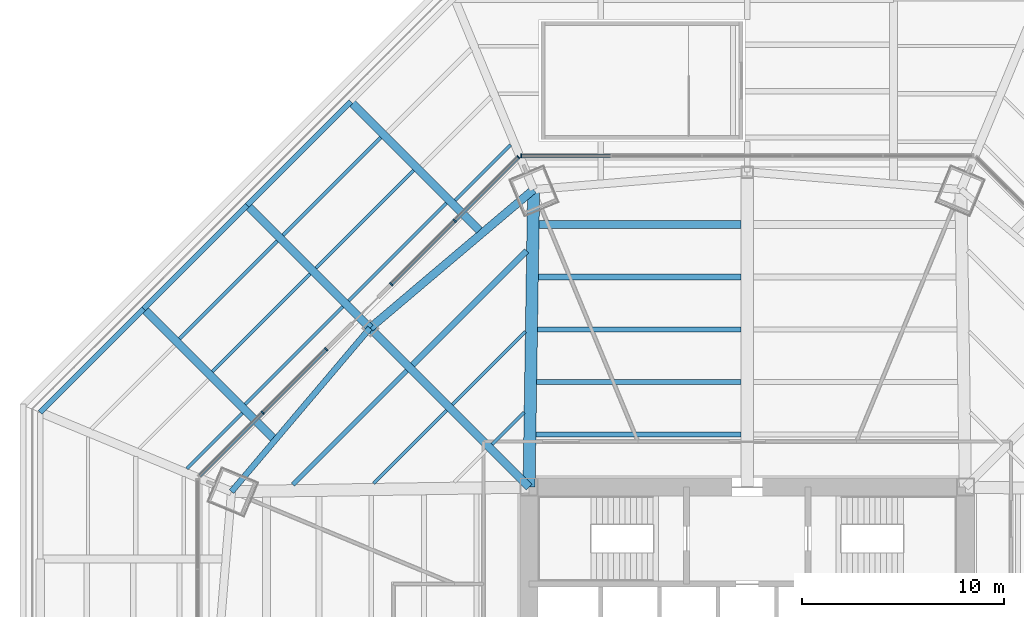
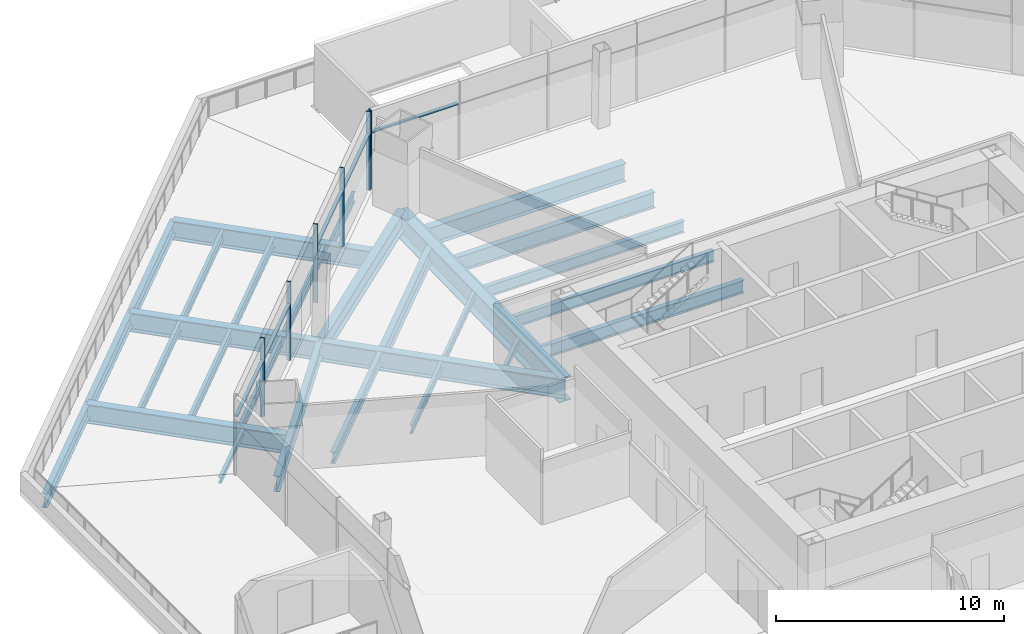
# One storey, part 8 of 25: 28 beams, 11 members, 3 elements without a shape of their own.
"""IFC4 building model written with IfcOpenShell, lengths in metres."""

from ifc_helpers import new_model, si_unit, direction, frame, origin, origin_2d, place, context, subcontext, project, spatial, rectangle, i_section, extrude, source, transform, mapped, material, material_profile, profile_set, type_object, type_shapes, element, aggregate, save


model = new_model("IFC4")

# Units and contexts
model_context = context("Model", 3, precision=1e-05, world=origin(), true_north=direction((0.0, 1.0)))
body_context = subcontext(model_context, "Body", "Model", "MODEL_VIEW")
ifc_project = project(units=[si_unit("LENGTHUNIT", "METRE"), si_unit("AREAUNIT", "SQUARE_METRE"), si_unit("VOLUMEUNIT", "CUBIC_METRE"), si_unit("PLANEANGLEUNIT", "RADIAN"), si_unit("MASSUNIT", "GRAM", prefix="KILO")], contexts=[model_context])

# Site, building, storey
site_placement = place(None, origin())
site = spatial("IfcSite", under=ifc_project, at=site_placement, CompositionType="ELEMENT")
building_placement = place(site_placement, origin())
building = spatial("IfcBuilding", under=site, at=building_placement, Name="Mashrafa Tower", CompositionType="ELEMENT")
storey_placement = place(building_placement, frame((0.0, 0.0, 28.800048828125)))
storey = spatial("IfcBuildingStorey", under=building, at=storey_placement, Name="L05", CompositionType="ELEMENT", Elevation=28.800048828125)

# Beams
ifc_material_1 = material(Name="Steel ASTM A572 Gr 50", Category="steel")
ifc_material_profile_1 = material_profile(ifc_material_1, i_section(OverallWidth=0.60009765625, OverallDepth=1.300048828125, WebThickness=0.028076171875, FlangeThickness=0.06494140625, at=origin_2d()), Name="H1300X600X28X65")
ifc_profile_set_1 = profile_set([ifc_material_profile_1], Name="Steel ASTM A572 Gr 50")
beam_type_1 = type_object("IfcBeamType", Name="Beam H1300X600X28X65", PredefinedType="BEAM", material=ifc_profile_set_1)
beam_1_placement = place(storey_placement, frame((-10.800048828125, 10.800048828125, -0.949951171875), z_axis=(0.015279561885, 0.99988326068, 0.0), x_axis=(-0.99988326068, 0.015279561885, 0.0)))
element("IfcBeam", 1, at=beam_1_placement, inside=storey, type_object=beam_type_1, Name="Radial girder L05 239", PredefinedType="BEAM", context=body_context, shape_type="SweptSolid", body=[
    extrude(i_section(OverallWidth=0.60009765625, OverallDepth=1.300048828125, WebThickness=0.028076171875, FlangeThickness=0.06494140625, at=origin_2d()), origin(), (0.0, 0.0, 1.0), 14.73193359375),
])
ifc_material_2 = material(Name="Steel ASTM A992", Category="steel")
ifc_material_profile_2 = material_profile(ifc_material_2, i_section(OverallWidth=0.164794921875, OverallDepth=0.309814453125, WebThickness=0.005859375, FlangeThickness=0.009765625, FilletRadius=0.007568359375, at=origin_2d()), Name="W12X26")
ifc_profile_set_2 = profile_set([ifc_material_profile_2], Name="Steel ASTM A992")
beam_type_2 = type_object("IfcBeamType", Name="Beam W12X26", PredefinedType="BEAM", material=ifc_profile_set_2)
beam_2_placement = place(storey_placement, frame((-27.7353515625, 11.718017578125, -0.455078125), z_axis=(0.707138270433, 0.707075290537, 0.0), x_axis=(-0.707075290537, 0.707138270433, 0.0)))
element("IfcBeam", 2, at=beam_2_placement, inside=storey, type_object=beam_type_2, Name="Floor beam L05 013", PredefinedType="BEAM", context=body_context, shape_type="SweptSolid", body=[
    extrude(i_section(OverallWidth=0.164794921875, OverallDepth=0.309814453125, WebThickness=0.005859375, FlangeThickness=0.009765625, FilletRadius=0.007568359375, at=origin_2d()), origin(), (0.0, 0.0, 1.0), 3.87646484375),
])
beam_3_placement = place(storey_placement, frame((-12.623779296875, 12.9130859375, -0.455078125), z_axis=(0.707106781187, 0.707106781187, 0.0), x_axis=(-0.707106781187, 0.707106781187, 0.0)))
element("IfcBeam", 3, at=beam_3_placement, inside=storey, type_object=beam_type_2, Name="Floor beam L05 050", PredefinedType="BEAM", context=body_context, shape_type="SweptSolid", body=[
    extrude(i_section(OverallWidth=0.164794921875, OverallDepth=0.309814453125, WebThickness=0.005859375, FlangeThickness=0.009765625, FilletRadius=0.007568359375, at=origin_2d()), origin(), (0.0, 0.0, 1.0), 2.234619140625),
])
ifc_material_3 = material(Name="Steel ASTM A992", Category="steel")
ifc_material_profile_3 = material_profile(ifc_material_3, i_section(OverallWidth=0.15234375, OverallDepth=0.449462890625, WebThickness=0.007568359375, FlangeThickness=0.0107421875, FilletRadius=0.01025390625, at=origin_2d()), Name="W18X35")
ifc_profile_set_3 = profile_set([ifc_material_profile_3], Name="Steel ASTM A992")
beam_type_3 = type_object("IfcBeamType", Name="Beam W18X35", PredefinedType="BEAM", material=ifc_profile_set_3)
for number, where, z_axis, x_axis, name in (
    (4, (-18.490966796875, 10.982666015625, -0.52490234375), (0.707106781187, 0.707106781187, 0.0), (-0.707106781187, 0.707106781187, 0.0), "Floor beam L05 029"),
    (5, (-14.59228515625, 14.88134765625, -0.52490234375), (0.707106781187, 0.707106781187, 0.0), (-0.707106781187, 0.707106781187, 0.0), "Floor beam L05 043"),
):
    element("IfcBeam", number, at=place(storey_placement, frame(where, z_axis=z_axis, x_axis=x_axis)), inside=storey, type_object=beam_type_3, Name=name, PredefinedType="BEAM", context=body_context, shape_type="SweptSolid", body=[
        extrude(i_section(OverallWidth=0.15234375, OverallDepth=0.449462890625, WebThickness=0.007568359375, FlangeThickness=0.0107421875, FilletRadius=0.01025390625, at=origin_2d()), origin(), (0.0, 0.0, 1.0), 5.104736328125),
    ])
ifc_material_4 = material(Name="Steel ASTM A992", Category="steel")
ifc_material_profile_4 = material_profile(ifc_material_4, i_section(OverallWidth=0.165771484375, OverallDepth=0.5283203125, WebThickness=0.009765625, FlangeThickness=0.013671875, FilletRadius=0.012939453125, at=origin_2d()), Name="W21X50")
ifc_profile_set_4 = profile_set([ifc_material_profile_4], Name="Steel ASTM A992")
beam_type_4 = type_object("IfcBeamType", Name="Beam W21X50", PredefinedType="BEAM", material=ifc_profile_set_4)
for number, where, z_axis, x_axis, name in (
    (6, (-28.107421875, 18.139892578125, -0.564208984375), (0.707124607932, 0.707088953991, 0.0), (-0.707088953991, 0.707124607932, 0.0), "Floor beam L05 009"),
    (7, (-26.482177734375, 16.5146484375, -0.564208984375), (0.707124607932, 0.707088953991, 0.0), (-0.707088953991, 0.707124607932, 0.0), "Floor beam L05 014"),
    (8, (-24.85693359375, 14.889404296875, -0.564208984375), (0.707106781187, 0.707106781187, 0.0), (-0.707106781187, 0.707106781187, 0.0), "Floor beam L05 016"),
    (9, (-22.981689453125, 23.265380859375, -0.564208984375), (0.707088953991, 0.707124607932, 0.0), (-0.707124607932, 0.707088953991, 0.0), "Floor beam L05 021"),
    (10, (-21.3564453125, 21.64013671875, -0.564208984375), (0.707088953991, 0.707124607932, 0.0), (-0.707124607932, 0.707088953991, 0.0), "Floor beam L05 024"),
    (11, (-19.731201171875, 20.01513671875, -0.564208984375), (0.707106781187, 0.707106781187, 0.0), (-0.707106781187, 0.707106781187, 0.0), "Floor beam L05 028"),
):
    element("IfcBeam", number, at=place(storey_placement, frame(where, z_axis=z_axis, x_axis=x_axis)), inside=storey, type_object=beam_type_4, Name=name, PredefinedType="BEAM", context=body_context, shape_type="SweptSolid", body=[
        extrude(i_section(OverallWidth=0.165771484375, OverallDepth=0.5283203125, WebThickness=0.009765625, FlangeThickness=0.013671875, FilletRadius=0.012939453125, at=origin_2d()), origin(), (0.0, 0.0, 1.0), 6.847412109375),
    ])
beam_4_placement = place(storey_placement, frame((-14.458984375, 24.994140625, -0.564208984375), z_axis=(0.707075391189, 0.707138169791, 0.0), x_axis=(-0.707138169791, 0.707075391189, 0.0)))
element("IfcBeam", 12, at=beam_4_placement, inside=storey, type_object=beam_type_4, Name="Floor beam L05 044", PredefinedType="BEAM", context=body_context, shape_type="SweptSolid", body=[
    extrude(i_section(OverallWidth=0.165771484375, OverallDepth=0.5283203125, WebThickness=0.009765625, FlangeThickness=0.013671875, FilletRadius=0.012939453125, at=origin_2d()), origin(), (0.0, 0.0, 1.0), 3.888916015625),
])
ifc_material_5 = material(Name="Steel ASTM A992", Category="steel")
ifc_material_profile_5 = material_profile(ifc_material_5, i_section(OverallWidth=0.227783203125, OverallDepth=0.60205078125, WebThickness=0.010498046875, FlangeThickness=0.014892578125, FilletRadius=0.012939453125, at=origin_2d()), Name="W24X68")
ifc_profile_set_5 = profile_set([ifc_material_profile_5], Name="Steel ASTM A992")
beam_type_5 = type_object("IfcBeamType", Name="Beam W24X68", PredefinedType="BEAM", material=ifc_profile_set_5)
beam_5_placement = place(storey_placement, frame((-10.42041015625, 16.002685546875, -0.60107421875), z_axis=(1.0, 0.0, 0.0), x_axis=(0.0, 1.0, 0.0)))
element("IfcBeam", 13, at=beam_5_placement, inside=storey, type_object=beam_type_5, Name="Floor beam L05 056", PredefinedType="BEAM", context=body_context, shape_type="SweptSolid", body=[
    extrude(i_section(OverallWidth=0.227783203125, OverallDepth=0.60205078125, WebThickness=0.010498046875, FlangeThickness=0.014892578125, FilletRadius=0.012939453125, at=origin_2d()), origin(), (0.0, 0.0, 1.0), 10.120361328125),
])
beam_6_placement = place(storey_placement, frame((-10.380859375, 18.604248046875, -0.60107421875), z_axis=(1.0, 0.0, 0.0), x_axis=(0.0, 1.0, 0.0)))
element("IfcBeam", 14, at=beam_6_placement, inside=storey, type_object=beam_type_5, Name="Floor beam L05 057", PredefinedType="BEAM", context=body_context, shape_type="SweptSolid", body=[
    extrude(i_section(OverallWidth=0.227783203125, OverallDepth=0.60205078125, WebThickness=0.010498046875, FlangeThickness=0.014892578125, FilletRadius=0.012939453125, at=origin_2d()), origin(), (0.0, 0.0, 1.0), 10.080810546875),
])
ifc_material_6 = material(Name="Steel ASTM A992", Category="steel")
ifc_material_profile_6 = material_profile(ifc_material_6, i_section(OverallWidth=0.22900390625, OverallDepth=0.612060546875, WebThickness=0.011962890625, FlangeThickness=0.01953125, FilletRadius=0.0126953125, at=origin_2d()), Name="W24X84")
ifc_profile_set_6 = profile_set([ifc_material_profile_6], Name="Steel ASTM A992")
beam_type_6 = type_object("IfcBeamType", Name="Beam W24X84", PredefinedType="BEAM", material=ifc_profile_set_6)
beam_7_placement = place(storey_placement, frame((-22.489013671875, 10.92138671875, -0.606201171875), z_axis=(0.707106781187, 0.707106781187, 0.0), x_axis=(-0.707106781187, 0.707106781187, 0.0)))
element("IfcBeam", 15, at=beam_7_placement, inside=storey, type_object=beam_type_6, Name="Floor beam L05 022", PredefinedType="BEAM", context=body_context, shape_type="SweptSolid", body=[
    extrude(i_section(OverallWidth=0.22900390625, OverallDepth=0.612060546875, WebThickness=0.011962890625, FlangeThickness=0.01953125, FilletRadius=0.0126953125, at=origin_2d()), origin(), (0.0, 0.0, 1.0), 7.97509765625),
])
ifc_material_7 = material(Name="Steel ASTM A992", Category="steel")
ifc_material_profile_7 = material_profile(ifc_material_7, i_section(OverallWidth=0.25390625, OverallDepth=0.67822265625, WebThickness=0.01171875, FlangeThickness=0.016357421875, FilletRadius=0.01513671875, at=origin_2d()), Name="W27X84")
ifc_profile_set_7 = profile_set([ifc_material_profile_7], Name="Steel ASTM A992")
beam_type_7 = type_object("IfcBeamType", Name="Beam W27X84", PredefinedType="BEAM", material=ifc_profile_set_7)
beam_8_placement = place(storey_placement, frame((-10.460205078125, 13.4013671875, -0.63916015625), z_axis=(1.0, 0.0, 0.0), x_axis=(0.0, 1.0, 0.0)))
element("IfcBeam", 16, at=beam_8_placement, inside=storey, type_object=beam_type_7, Name="Floor beam L05 054", PredefinedType="BEAM", context=body_context, shape_type="SweptSolid", body=[
    extrude(i_section(OverallWidth=0.25390625, OverallDepth=0.67822265625, WebThickness=0.01171875, FlangeThickness=0.016357421875, FilletRadius=0.01513671875, at=origin_2d()), origin(), (0.0, 0.0, 1.0), 10.16015625),
])
ifc_material_8 = material(Name="Steel ASTM A992", Category="steel")
ifc_material_profile_8 = material_profile(ifc_material_8, i_section(OverallWidth=0.2666015625, OverallDepth=0.761962890625, WebThickness=0.014404296875, FlangeThickness=0.021484375, FilletRadius=0.0166015625, at=origin_2d()), Name="W30X116")
ifc_profile_set_8 = profile_set([ifc_material_profile_8], Name="Steel ASTM A992")
beam_type_8 = type_object("IfcBeamType", Name="Beam W30X116", PredefinedType="BEAM", material=ifc_profile_set_8)
beam_9_placement = place(storey_placement, frame((-29.87451171875, 19.623046875, -0.68115234375), z_axis=(-0.707106781187, -0.707106781187, 0.0), x_axis=(0.707106781187, -0.707106781187, 0.0)))
element("IfcBeam", 17, at=beam_9_placement, inside=storey, type_object=beam_type_8, Name="Podium edge beam L05 151", PredefinedType="BEAM", context=body_context, shape_type="SweptSolid", body=[
    extrude(i_section(OverallWidth=0.2666015625, OverallDepth=0.761962890625, WebThickness=0.014404296875, FlangeThickness=0.021484375, FilletRadius=0.0166015625, at=origin_2d()), origin(), (0.0, 0.0, 1.0), 7.24853515625),
])
for number, where, z_axis, x_axis, name in (
    (18, (-24.748779296875, 24.748779296875, -0.68115234375), (-0.707106781187, -0.707106781187, 0.0), (0.707106781187, -0.707106781187, 0.0), "Podium edge beam L05 153"),
    (19, (-19.623046875, 29.87451171875, -0.68115234375), (-0.707106781187, -0.707106781187, 0.0), (0.707106781187, -0.707106781187, 0.0), "Podium edge beam L05 155"),
):
    element("IfcBeam", number, at=place(storey_placement, frame(where, z_axis=z_axis, x_axis=x_axis)), inside=storey, type_object=beam_type_8, Name=name, PredefinedType="BEAM", context=body_context, shape_type="SweptSolid", body=[
        extrude(i_section(OverallWidth=0.2666015625, OverallDepth=0.761962890625, WebThickness=0.014404296875, FlangeThickness=0.021484375, FilletRadius=0.0166015625, at=origin_2d()), origin(), (0.0, 0.0, 1.0), 7.248779296875),
    ])
ifc_material_9 = material(Name="Steel ASTM A992", Category="steel")
ifc_material_profile_9 = material_profile(ifc_material_9, i_section(OverallWidth=0.2919921875, OverallDepth=0.8408203125, WebThickness=0.0146484375, FlangeThickness=0.021728515625, FilletRadius=0.017333984375, at=origin_2d()), Name="W33X130")
ifc_profile_set_9 = profile_set([ifc_material_profile_9], Name="Steel ASTM A992")
beam_type_9 = type_object("IfcBeamType", Name="Beam W33X130", PredefinedType="BEAM", material=ifc_profile_set_9)
beam_10_placement = place(storey_placement, frame((-18.673583984375, 18.673583984375, -0.720458984375), z_axis=(-0.646161895405, -0.763200370104, 0.0), x_axis=(0.763200370104, -0.646161895405, 0.0)))
element("IfcBeam", 20, at=beam_10_placement, inside=storey, type_object=beam_type_9, Name="Podium ring girder L05 221", PredefinedType="BEAM", context=body_context, shape_type="SweptSolid", body=[
    extrude(i_section(OverallWidth=0.2919921875, OverallDepth=0.8408203125, WebThickness=0.0146484375, FlangeThickness=0.021728515625, FilletRadius=0.017333984375, at=origin_2d()), origin(), (0.0, 0.0, 1.0), 10.611328125),
])
ifc_material_10 = material(Name="Steel ASTM A992", Category="steel")
ifc_material_profile_10 = material_profile(ifc_material_10, i_section(OverallWidth=0.2919921875, OverallDepth=0.845703125, WebThickness=0.015380859375, FlangeThickness=0.0244140625, FilletRadius=0.017333984375, at=origin_2d()), Name="W33X141")
ifc_profile_set_10 = profile_set([ifc_material_profile_10], Name="Steel ASTM A992")
beam_type_10 = type_object("IfcBeamType", Name="Beam W33X141", PredefinedType="BEAM", material=ifc_profile_set_10)
beam_11_placement = place(storey_placement, frame((-10.341064453125, 21.205810546875, -0.722900390625), z_axis=(1.0, 0.0, 0.0), x_axis=(0.0, 1.0, 0.0)))
element("IfcBeam", 21, at=beam_11_placement, inside=storey, type_object=beam_type_10, Name="Floor beam L05 059", PredefinedType="BEAM", context=body_context, shape_type="SweptSolid", body=[
    extrude(i_section(OverallWidth=0.2919921875, OverallDepth=0.845703125, WebThickness=0.015380859375, FlangeThickness=0.0244140625, FilletRadius=0.017333984375, at=origin_2d()), origin(), (0.0, 0.0, 1.0), 10.041015625),
])
ifc_material_11 = material(Name="Steel ASTM A992", Category="steel")
ifc_material_profile_11 = material_profile(ifc_material_11, i_section(OverallWidth=0.2919921875, OverallDepth=0.8583984375, WebThickness=0.01708984375, FlangeThickness=0.031005859375, FilletRadius=0.017822265625, at=origin_2d()), Name="W33X169")
ifc_profile_set_11 = profile_set([ifc_material_profile_11], Name="Steel ASTM A992")
beam_type_11 = type_object("IfcBeamType", Name="Beam W33X169", PredefinedType="BEAM", material=ifc_profile_set_11)
beam_12_placement = place(storey_placement, frame((-16.560546875, 16.849853515625, -0.729248046875), z_axis=(0.707106781187, 0.707106781187, 0.0), x_axis=(-0.707106781187, 0.707106781187, 0.0)))
element("IfcBeam", 22, at=beam_12_placement, inside=storey, type_object=beam_type_11, Name="Floor beam L05 035", PredefinedType="BEAM", context=body_context, shape_type="SweptSolid", body=[
    extrude(i_section(OverallWidth=0.2919921875, OverallDepth=0.8583984375, WebThickness=0.01708984375, FlangeThickness=0.031005859375, FilletRadius=0.017822265625, at=origin_2d()), origin(), (0.0, 0.0, 1.0), 7.97509765625),
])
ifc_material_12 = material(Name="Steel ASTM A992", Category="steel")
ifc_material_profile_12 = material_profile(ifc_material_12, i_section(OverallWidth=0.4013671875, OverallDepth=0.98291015625, WebThickness=0.0166015625, FlangeThickness=0.027099609375, FilletRadius=0.0126953125, at=origin_2d()), Name="W40X199")
ifc_profile_set_12 = profile_set([ifc_material_profile_12], Name="Steel ASTM A992")
beam_type_12 = type_object("IfcBeamType", Name="Beam W40X199", PredefinedType="BEAM", material=ifc_profile_set_12)
beam_13_placement = place(storey_placement, frame((-10.30126953125, 23.80712890625, -0.79150390625), z_axis=(1.0, 0.0, 0.0), x_axis=(0.0, 1.0, 0.0)))
element("IfcBeam", 23, at=beam_13_placement, inside=storey, type_object=beam_type_12, Name="Floor beam L05 061", PredefinedType="BEAM", context=body_context, shape_type="SweptSolid", body=[
    extrude(i_section(OverallWidth=0.4013671875, OverallDepth=0.98291015625, WebThickness=0.0166015625, FlangeThickness=0.027099609375, FilletRadius=0.0126953125, at=origin_2d()), origin(), (0.0, 0.0, 1.0), 10.001220703125),
])
ifc_material_13 = material(Name="Steel ASTM A992", Category="steel")
ifc_material_profile_13 = material_profile(ifc_material_13, i_section(OverallWidth=0.4013671875, OverallDepth=1.010986328125, WebThickness=0.023681640625, FlangeThickness=0.0419921875, FilletRadius=0.02001953125, at=origin_2d()), Name="W40X297")
ifc_profile_set_13 = profile_set([ifc_material_profile_13], Name="Steel ASTM A992")
beam_type_13 = type_object("IfcBeamType", Name="Beam W40X297", PredefinedType="BEAM", material=ifc_profile_set_13)
beam_14_placement = place(storey_placement, frame((-23.477294921875, 13.225830078125, -0.805419921875), z_axis=(-0.707106781187, 0.707106781187, 0.0), x_axis=(-0.707106781187, -0.707106781187, 0.0)))
element("IfcBeam", 24, at=beam_14_placement, inside=storey, type_object=beam_type_13, Name="Podium radial beam L05 185", PredefinedType="BEAM", context=body_context, shape_type="SweptSolid", body=[
    extrude(i_section(OverallWidth=0.4013671875, OverallDepth=1.010986328125, WebThickness=0.023681640625, FlangeThickness=0.0419921875, FilletRadius=0.02001953125, at=origin_2d()), origin(), (0.0, 0.0, 1.0), 9.047119140625),
])
beam_15_placement = place(storey_placement, frame((-18.673583984375, 18.673583984375, -0.805419921875), z_axis=(-0.707106781187, 0.707106781187, 0.0), x_axis=(-0.707106781187, -0.707106781187, 0.0)))
element("IfcBeam", 25, at=beam_15_placement, inside=storey, type_object=beam_type_13, Name="Podium radial beam L05 187", PredefinedType="BEAM", context=body_context, shape_type="SweptSolid", body=[
    extrude(i_section(OverallWidth=0.4013671875, OverallDepth=1.010986328125, WebThickness=0.023681640625, FlangeThickness=0.0419921875, FilletRadius=0.02001953125, at=origin_2d()), origin(), (0.0, 0.0, 1.0), 8.591552734375),
])
beam_16_placement = place(storey_placement, frame((-13.2646484375, 23.51611328125, -0.805419921875), z_axis=(-0.707106781187, 0.707106781187, 0.0), x_axis=(-0.707106781187, -0.707106781187, 0.0)))
element("IfcBeam", 26, at=beam_16_placement, inside=storey, type_object=beam_type_13, Name="Podium radial beam L05 189", PredefinedType="BEAM", context=body_context, shape_type="SweptSolid", body=[
    extrude(i_section(OverallWidth=0.4013671875, OverallDepth=1.010986328125, WebThickness=0.023681640625, FlangeThickness=0.0419921875, FilletRadius=0.02001953125, at=origin_2d()), origin(), (0.0, 0.0, 1.0), 8.9921875),
])
beam_17_placement = place(storey_placement, frame((-10.574951171875, 25.5302734375, -0.805419921875), z_axis=(-0.763200370104, -0.646161895405, 0.0), x_axis=(0.646161895405, -0.763200370104, 0.0)))
element("IfcBeam", 27, at=beam_17_placement, inside=storey, type_object=beam_type_13, Name="Podium ring girder L05 223", PredefinedType="BEAM", context=body_context, shape_type="SweptSolid", body=[
    extrude(i_section(OverallWidth=0.4013671875, OverallDepth=1.010986328125, WebThickness=0.023681640625, FlangeThickness=0.0419921875, FilletRadius=0.02001953125, at=origin_2d()), origin(), (0.0, 0.0, 1.0), 10.611328125),
])
ifc_material_14 = material(Name="Steel ASTM A992", Category="steel")
ifc_material_profile_14 = material_profile(ifc_material_14, i_section(OverallWidth=0.408935546875, OverallDepth=1.04150390625, WebThickness=0.031005859375, FlangeThickness=0.055908203125, FilletRadius=0.020263671875, at=origin_2d()), Name="W40X397")
ifc_profile_set_14 = profile_set([ifc_material_profile_14], Name="Steel ASTM A992")
beam_type_14 = type_object("IfcBeamType", Name="Beam W40X397", PredefinedType="BEAM", material=ifc_profile_set_14)
beam_18_placement = place(storey_placement, frame((-10.800048828125, 10.800048828125, -0.82080078125), z_axis=(-0.707106781187, 0.707106781187, 0.0), x_axis=(-0.707106781187, -0.707106781187, 0.0)))
element("IfcBeam", 28, at=beam_18_placement, inside=storey, type_object=beam_type_14, Name="Radial girder L05 238", PredefinedType="BEAM", context=body_context, shape_type="SweptSolid", body=[
    extrude(i_section(OverallWidth=0.408935546875, OverallDepth=1.04150390625, WebThickness=0.031005859375, FlangeThickness=0.055908203125, FilletRadius=0.020263671875, at=origin_2d()), origin(), (0.0, 0.0, 1.0), 11.134765625),
])

# Curtain wall, member
ifc_material_15 = material(Name="Unitised aluminium curtain wall", Category="aluminium")
curtain_wall_type = type_object("IfcCurtainWallType", Name="Office curtain wall, zone 1 CW-A 200 deep", PredefinedType="NOTDEFINED", material=ifc_material_15)
curtain_wall_1_placement = place(storey_placement, origin())
curtain_wall_1 = element("IfcCurtainWall", 29, at=curtain_wall_1_placement, inside=storey, type_object=curtain_wall_type, Name="Office curtain wall, zone 1 L05 north", PredefinedType="NOTDEFINED")
ifc_material_16 = material(Name="Extruded aluminium mullion", Category="aluminium")
ifc_material_profile_15 = material_profile(ifc_material_16, rectangle(XDim=0.199951171875, YDim=0.06494140625, at=origin_2d()), Name="Mullion 65x200")
ifc_profile_set_15 = profile_set([ifc_material_profile_15], Name="Extruded aluminium mullion")
member_type_1 = type_object("IfcMemberType", Name="Mullion CW-A 65 x 200", PredefinedType="MULLION", material=ifc_profile_set_15)
shared_shape_1 = source(origin(), body_context, "Body", "SweptSolid", [
    extrude(rectangle(XDim=0.199951171875, YDim=0.06494140625, at=origin_2d()), origin(), (0.0, 0.0, 1.0), 4.199951171875),
])
type_shapes(member_type_1, [shared_shape_1])
member_1_placement = place(storey_placement, frame((-11.1826171875, 27.199951171875, 0.0), z_axis=(0.0, 0.0, 1.0), x_axis=(0.0, -1.0, 0.0)))
member_1 = element("IfcMember", 30, at=member_1_placement, type_object=member_type_1, Name="CW-A mullion 6", PredefinedType="MULLION", context=body_context, shape_type="MappedRepresentation", body=[
    mapped(shared_shape_1, transform((0.0, 0.0, 0.0))),
])

# Curtain wall, members
curtain_wall_2_placement = place(storey_placement, origin())
curtain_wall_2 = element("IfcCurtainWall", 31, at=curtain_wall_2_placement, inside=storey, type_object=curtain_wall_type, Name="Office curtain wall, zone 1 L05 north-west part 1", PredefinedType="NOTDEFINED")
member_2_placement = place(storey_placement, frame((-11.325927734375, 27.140625, 0.0), z_axis=(0.0, 0.0, 1.0), x_axis=(0.707106781187, -0.707106781187, 0.0)))
member_2 = element("IfcMember", 32, at=member_2_placement, type_object=member_type_1, Name="CW-A mullion 1", PredefinedType="MULLION", context=body_context, shape_type="MappedRepresentation", body=[
    mapped(shared_shape_1, transform((0.0, 0.0, 0.0))),
])
member_3_placement = place(storey_placement, frame((-14.47509765625, 23.991455078125, 0.0), z_axis=(0.0, 0.0, 1.0), x_axis=(0.707106781187, -0.707106781187, 0.0)))
member_3 = element("IfcMember", 33, at=member_3_placement, type_object=member_type_1, Name="CW-A mullion 2", PredefinedType="MULLION", context=body_context, shape_type="MappedRepresentation", body=[
    mapped(shared_shape_1, transform((0.0, 0.0, 0.0))),
])
member_4_placement = place(storey_placement, frame((-17.624267578125, 20.84228515625, 0.0), z_axis=(0.0, 0.0, 1.0), x_axis=(0.707106781187, -0.707106781187, 0.0)))
member_4 = element("IfcMember", 34, at=member_4_placement, type_object=member_type_1, Name="CW-A mullion 3", PredefinedType="MULLION", context=body_context, shape_type="MappedRepresentation", body=[
    mapped(shared_shape_1, transform((0.0, 0.0, 0.0))),
])

curtain_wall_3_placement = place(storey_placement, origin())
curtain_wall_3 = element("IfcCurtainWall", 35, at=curtain_wall_3_placement, inside=storey, type_object=curtain_wall_type, Name="Office curtain wall, zone 1 L05 north-west part 2", PredefinedType="NOTDEFINED")
member_5_placement = place(storey_placement, frame((-20.84228515625, 17.624267578125, 0.0), z_axis=(0.0, 0.0, 1.0), x_axis=(0.707106781187, -0.707106781187, 0.0)))
member_5 = element("IfcMember", 36, at=member_5_placement, type_object=member_type_1, Name="CW-A mullion 1", PredefinedType="MULLION", context=body_context, shape_type="MappedRepresentation", body=[
    mapped(shared_shape_1, transform((0.0, 0.0, 0.0))),
])
member_6_placement = place(storey_placement, frame((-23.991455078125, 14.47509765625, 0.0), z_axis=(0.0, 0.0, 1.0), x_axis=(0.707106781187, -0.707106781187, 0.0)))
member_6 = element("IfcMember", 37, at=member_6_placement, type_object=member_type_1, Name="CW-A mullion 2", PredefinedType="MULLION", context=body_context, shape_type="MappedRepresentation", body=[
    mapped(shared_shape_1, transform((0.0, 0.0, 0.0))),
])

# Member
ifc_material_17 = material(Name="Extruded aluminium transom", Category="aluminium")
ifc_material_profile_16 = material_profile(ifc_material_17, rectangle(XDim=0.159912109375, YDim=0.080078125, at=origin_2d()), Name="Transom 80x160")
ifc_profile_set_16 = profile_set([ifc_material_profile_16], Name="Extruded aluminium transom")
member_type_2 = type_object("IfcMemberType", Name="Transom CW-A 80 x 160", PredefinedType="MULLION", material=ifc_profile_set_16)
shared_shape_2 = source(origin(), body_context, "Body", "SweptSolid", [
    extrude(rectangle(XDim=0.159912109375, YDim=0.080078125, at=origin_2d()), origin(), (0.0, 0.0, 1.0), 4.388427734375),
])
member_7_placement = place(storey_placement, frame((-6.76171875, 27.199951171875, 3.0), z_axis=(-1.0, 0.0, 0.0), x_axis=(0.0, -1.0, 0.0)))
member_7 = element("IfcMember", 38, at=member_7_placement, type_object=member_type_2, Name="CW-A transom 5", PredefinedType="MULLION", context=body_context, shape_type="MappedRepresentation", body=[
    mapped(shared_shape_2, transform((0.0, 0.0, 0.0))),
])

aggregate(curtain_wall_1, [member_1, member_7])

shared_shape_3 = source(origin(), body_context, "Body", "SweptSolid", [
    extrude(rectangle(XDim=0.159912109375, YDim=0.080078125, at=origin_2d()), origin(), (0.0, 0.0, 1.0), 4.388671875),
])
type_shapes(member_type_2, [shared_shape_2, shared_shape_3])
member_8_placement = place(storey_placement, frame((-11.348876953125, 27.11767578125, 3.0), z_axis=(-0.707106781187, -0.707106781187, 0.0), x_axis=(0.707106781187, -0.707106781187, 0.0)))
member_8 = element("IfcMember", 39, at=member_8_placement, type_object=member_type_2, Name="CW-A transom 1", PredefinedType="MULLION", context=body_context, shape_type="MappedRepresentation", body=[
    mapped(shared_shape_3, transform((0.0, 0.0, 0.0))),
])

member_9_placement = place(storey_placement, frame((-14.498046875, 23.968505859375, 3.0), z_axis=(-0.707106781187, -0.707106781187, 0.0), x_axis=(0.707106781187, -0.707106781187, 0.0)))
member_9 = element("IfcMember", 40, at=member_9_placement, type_object=member_type_2, Name="CW-A transom 2", PredefinedType="MULLION", context=body_context, shape_type="MappedRepresentation", body=[
    mapped(shared_shape_3, transform((0.0, 0.0, 0.0))),
])

aggregate(curtain_wall_2, [member_2, member_3, member_4, member_8, member_9])

member_10_placement = place(storey_placement, frame((-20.865234375, 17.601318359375, 3.0), z_axis=(-0.707106781187, -0.707106781187, 0.0), x_axis=(0.707106781187, -0.707106781187, 0.0)))
member_10 = element("IfcMember", 41, at=member_10_placement, type_object=member_type_2, Name="CW-A transom 1", PredefinedType="MULLION", context=body_context, shape_type="MappedRepresentation", body=[
    mapped(shared_shape_3, transform((0.0, 0.0, 0.0))),
])

member_11_placement = place(storey_placement, frame((-24.014404296875, 14.4521484375, 3.0), z_axis=(-0.707106781187, -0.707106781187, 0.0), x_axis=(0.707106781187, -0.707106781187, 0.0)))
member_11 = element("IfcMember", 42, at=member_11_placement, type_object=member_type_2, Name="CW-A transom 2", PredefinedType="MULLION", context=body_context, shape_type="MappedRepresentation", body=[
    mapped(shared_shape_3, transform((0.0, 0.0, 0.0))),
])

aggregate(curtain_wall_3, [member_5, member_6, member_10, member_11])

save(model, "model.ifc")
